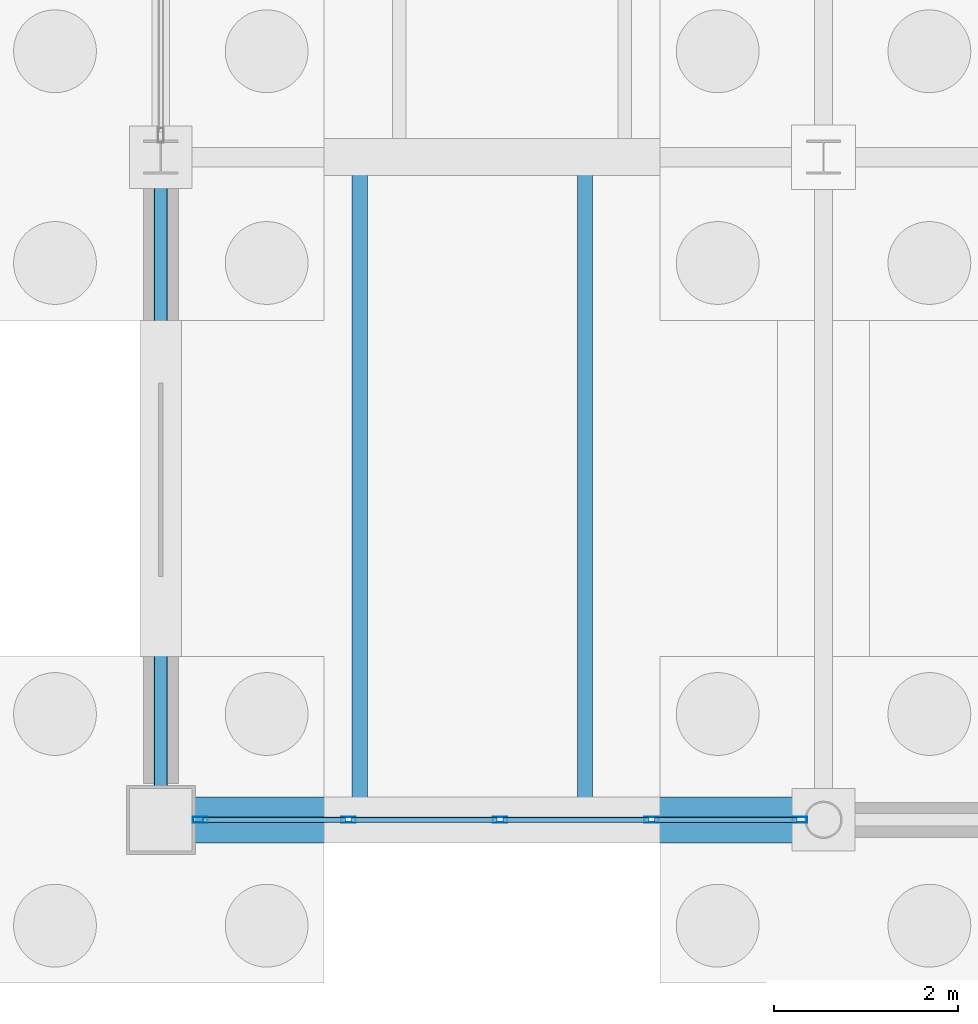
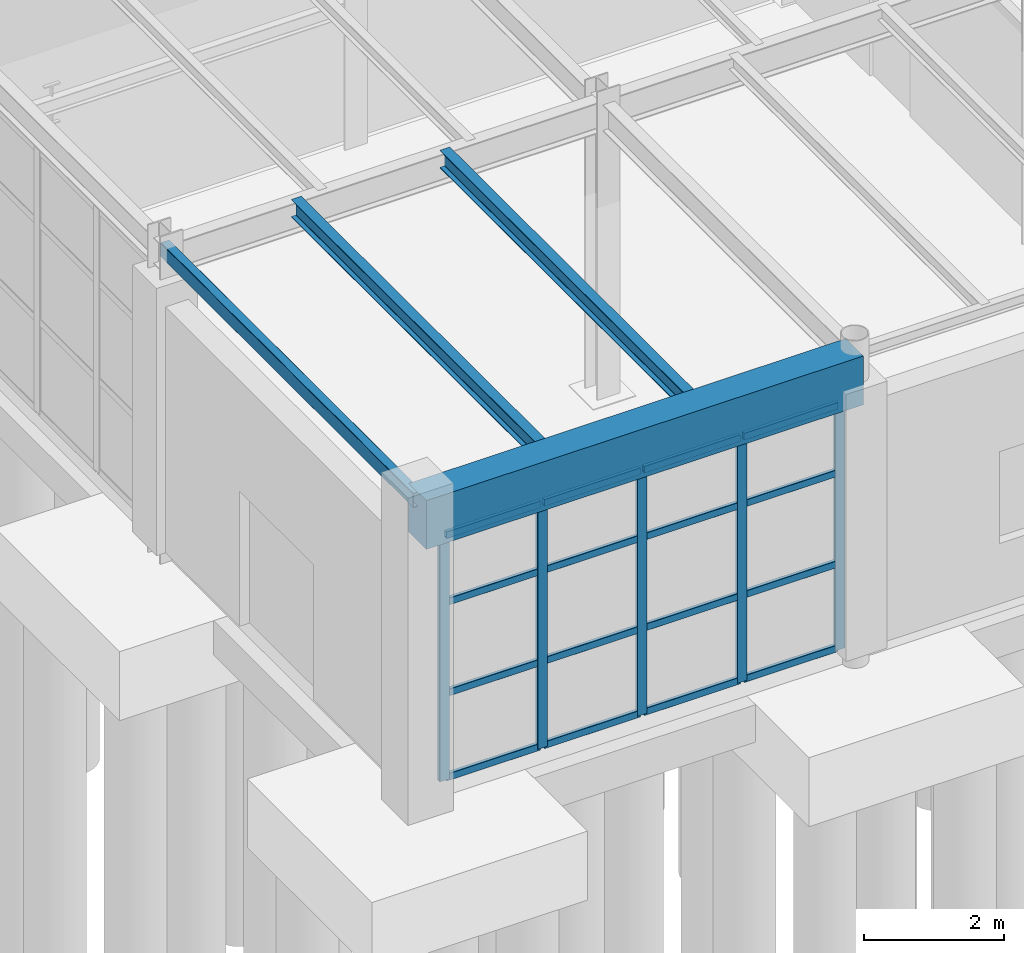
# One storey, part 39 of 293: 21 members, 4 beams, 1 element without a shape of its own.
"""IFC4 building model written with IfcOpenShell, lengths in metres."""

from ifc_helpers import new_model, si_unit, direction, frame, origin, origin_2d, place, context, subcontext, project, spatial, rectangle, hollow_rectangle, i_section, extrude, material, layer, layer_set, material_profile, profile_set, type_object, element, aggregate, save


model = new_model("IFC4")

# Units and contexts
model_context = context("Model", 3, precision=1e-05, world=origin(), true_north=direction((0.0, 1.0)))
body_context = subcontext(model_context, "Body", "Model", "MODEL_VIEW")
ifc_project = project(units=[si_unit("LENGTHUNIT", "METRE"), si_unit("AREAUNIT", "SQUARE_METRE"), si_unit("VOLUMEUNIT", "CUBIC_METRE"), si_unit("PLANEANGLEUNIT", "RADIAN"), si_unit("MASSUNIT", "GRAM", prefix="KILO")], contexts=[model_context])

# Site, building, storey
site_placement = place(None, origin())
site = spatial("IfcSite", under=ifc_project, at=site_placement, CompositionType="ELEMENT")
building_placement = place(site_placement, origin())
building = spatial("IfcBuilding", under=site, at=building_placement, Name="Kemerveld Promenade Tramway Depot", CompositionType="ELEMENT")
storey_placement = place(building_placement, origin())
storey = spatial("IfcBuildingStorey", under=building, at=storey_placement, Name="L00", CompositionType="ELEMENT", Elevation=0.0)

# Beams
ifc_material_1 = material(Name="Steel S355", Category="steel")
ifc_material_profile_1 = material_profile(ifc_material_1, i_section(OverallWidth=0.165771484375, OverallDepth=0.306640625, WebThickness=0.006591796875, FlangeThickness=0.01171875, FilletRadius=0.0087890625, at=origin_2d()), Name="305x165x46 UB")
ifc_profile_set_1 = profile_set([ifc_material_profile_1], Name="Steel S355")
beam_type_1 = type_object("IfcBeamType", Name="BM-J01", PredefinedType="JOIST", material=ifc_profile_set_1)
for number, where, z_axis, x_axis, name in (
    (1, (2.159912109375, 0.0, 4.99658203125), (0.0, 1.0, 0.0), (-1.0, 0.0, 0.0), "JST-L00-01-A-1"),
    (2, (4.60791015625, 0.0, 4.99658203125), (0.0, 1.0, 0.0), (-1.0, 0.0, 0.0), "JST-L00-01-A-2"),
):
    element("IfcBeam", number, at=place(storey_placement, frame(where, z_axis=z_axis, x_axis=x_axis)), inside=storey, type_object=beam_type_1, Name=name, PredefinedType="JOIST", context=body_context, shape_type="SweptSolid", body=[
        extrude(i_section(OverallWidth=0.165771484375, OverallDepth=0.306640625, WebThickness=0.006591796875, FlangeThickness=0.01171875, FilletRadius=0.0087890625, at=origin_2d()), origin(), (0.0, 0.0, 1.0), 7.199951171875),
    ])
ifc_material_2 = material(Name="Concrete C40/50", Category="concrete")
ifc_material_profile_2 = material_profile(ifc_material_2, rectangle(XDim=0.5, YDim=0.85009765625, at=origin_2d()), Name="RC-BM-500x850")
ifc_profile_set_2 = profile_set([ifc_material_profile_2], Name="Concrete C40/50")
beam_type_2 = type_object("IfcBeamType", Name="BM-RC7", PredefinedType="BEAM", material=ifc_profile_set_2)
beam_1_placement = place(storey_placement, frame((0.0, 0.0, 4.72509765625), z_axis=(1.0, 0.0, 0.0), x_axis=(0.0, 1.0, 0.0)))
element("IfcBeam", 3, at=beam_1_placement, inside=storey, type_object=beam_type_2, Name="BMX-L00-01-02-A", PredefinedType="BEAM", context=body_context, shape_type="SweptSolid", body=[
    extrude(rectangle(XDim=0.5, YDim=0.85009765625, at=origin_2d()), origin(), (0.0, 0.0, 1.0), 7.199951171875),
])
ifc_material_profile_3 = material_profile(ifc_material_1, hollow_rectangle(XDim=0.14990234375, YDim=0.25, WallThickness=0.010009765625, InnerFilletRadius=0.0048828125, OuterFilletRadius=0.014892578125, at=origin_2d()), Name="250x150x10.0 RHS")
ifc_profile_set_3 = profile_set([ifc_material_profile_3], Name="Steel S355")
beam_type_3 = type_object("IfcBeamType", Name="BM-SP2", PredefinedType="SPANDREL", material=ifc_profile_set_3)
beam_2_placement = place(storey_placement, frame((0.0, 0.0, 5.02490234375), z_axis=(0.0, 1.0, 0.0), x_axis=(-1.0, 0.0, 0.0)))
element("IfcBeam", 4, at=beam_2_placement, inside=storey, type_object=beam_type_3, Name="BMY-L00-01-A-B", PredefinedType="SPANDREL", context=body_context, shape_type="SweptSolid", body=[
    extrude(hollow_rectangle(XDim=0.14990234375, YDim=0.25, WallThickness=0.010009765625, InnerFilletRadius=0.0048828125, OuterFilletRadius=0.014892578125, at=origin_2d()), origin(), (0.0, 0.0, 1.0), 7.199951171875),
])

# Curtain wall, members
ifc_material_3 = material(Name="Bronze anodised aluminium and solar glass", Category="aluminium")
ifc_layer = layer(ifc_material_3, 0.159912109375)
ifc_layer_set = layer_set([ifc_layer], Name="CW-SYS-11")
curtain_wall_type = type_object("IfcCurtainWallType", Name="CW-SYS-11", PredefinedType="USERDEFINED", material=ifc_layer_set)
curtain_wall_placement = place(storey_placement, origin())
curtain_wall = element("IfcCurtainWall", 5, at=curtain_wall_placement, inside=storey, type_object=curtain_wall_type, Name="CW-L00-V5S-08", ObjectType="GLAZED_CURTAIN_WALL", PredefinedType="USERDEFINED")
ifc_material_4 = material(Name="Bronze anodised aluminium", Category="aluminium")
ifc_material_profile_4 = material_profile(ifc_material_4, hollow_rectangle(XDim=0.06494140625, YDim=0.159912109375, WallThickness=0.00390625, InnerFilletRadius=0.001953125, OuterFilletRadius=0.00390625, at=origin_2d()), Name="CW-MUL-160x65")
ifc_profile_set_4 = profile_set([ifc_material_profile_4], Name="Bronze anodised aluminium")
member_type_1 = type_object("IfcMemberType", Name="CW-MUL-A", PredefinedType="MULLION", material=ifc_profile_set_4)
member_1_placement = place(storey_placement, frame((6.9443359375, 0.0, 0.0), z_axis=(0.0, 0.0, 1.0), x_axis=(0.0, -1.0, 0.0)))
member_1 = element("IfcMember", 6, at=member_1_placement, type_object=member_type_1, Name="CW11 mullion 1", PredefinedType="MULLION", context=body_context, shape_type="SweptSolid", body=[
    extrude(hollow_rectangle(XDim=0.06494140625, YDim=0.159912109375, WallThickness=0.00390625, InnerFilletRadius=0.001953125, OuterFilletRadius=0.00390625, at=origin_2d()), origin(), (0.0, 0.0, 1.0), 4.280029296875),
])
member_2_placement = place(storey_placement, frame((5.331298828125, 0.0, 0.0), z_axis=(0.0, 0.0, 1.0), x_axis=(0.0, -1.0, 0.0)))
member_2 = element("IfcMember", 7, at=member_2_placement, type_object=member_type_1, Name="CW11 mullion 2", PredefinedType="MULLION", context=body_context, shape_type="SweptSolid", body=[
    extrude(hollow_rectangle(XDim=0.06494140625, YDim=0.159912109375, WallThickness=0.00390625, InnerFilletRadius=0.001953125, OuterFilletRadius=0.00390625, at=origin_2d()), origin(), (0.0, 0.0, 1.0), 4.280029296875),
])
member_3_placement = place(storey_placement, frame((3.685791015625, 0.0, 0.0), z_axis=(0.0, 0.0, 1.0), x_axis=(0.0, -1.0, 0.0)))
member_3 = element("IfcMember", 8, at=member_3_placement, type_object=member_type_1, Name="CW11 mullion 3", PredefinedType="MULLION", context=body_context, shape_type="SweptSolid", body=[
    extrude(hollow_rectangle(XDim=0.06494140625, YDim=0.159912109375, WallThickness=0.00390625, InnerFilletRadius=0.001953125, OuterFilletRadius=0.00390625, at=origin_2d()), origin(), (0.0, 0.0, 1.0), 4.280029296875),
])
member_4_placement = place(storey_placement, frame((2.04052734375, 0.0, 0.0), z_axis=(0.0, 0.0, 1.0), x_axis=(0.0, -1.0, 0.0)))
member_4 = element("IfcMember", 9, at=member_4_placement, type_object=member_type_1, Name="CW11 mullion 4", PredefinedType="MULLION", context=body_context, shape_type="SweptSolid", body=[
    extrude(hollow_rectangle(XDim=0.06494140625, YDim=0.159912109375, WallThickness=0.00390625, InnerFilletRadius=0.001953125, OuterFilletRadius=0.00390625, at=origin_2d()), origin(), (0.0, 0.0, 1.0), 4.280029296875),
])
member_5_placement = place(storey_placement, frame((0.427490234375, 0.0, 0.0), z_axis=(0.0, 0.0, 1.0), x_axis=(0.0, -1.0, 0.0)))
member_5 = element("IfcMember", 10, at=member_5_placement, type_object=member_type_1, Name="CW11 mullion 5", PredefinedType="MULLION", context=body_context, shape_type="SweptSolid", body=[
    extrude(hollow_rectangle(XDim=0.06494140625, YDim=0.159912109375, WallThickness=0.00390625, InnerFilletRadius=0.001953125, OuterFilletRadius=0.00390625, at=origin_2d()), origin(), (0.0, 0.0, 1.0), 4.280029296875),
])
ifc_material_profile_5 = material_profile(ifc_material_4, hollow_rectangle(XDim=0.06005859375, YDim=0.1201171875, WallThickness=0.00390625, InnerFilletRadius=0.001953125, OuterFilletRadius=0.00390625, at=origin_2d()), Name="CW-TRN-120x60")
ifc_profile_set_5 = profile_set([ifc_material_profile_5], Name="Bronze anodised aluminium")
member_type_2 = type_object("IfcMemberType", Name="CW-TRN-A", PredefinedType="USERDEFINED", material=ifc_profile_set_5)
member_6_placement = place(storey_placement, frame((6.911865234375, 0.0, 0.030029296875), z_axis=(-1.0, 0.0, 0.0), x_axis=(0.0, -1.0, 0.0)))
member_6 = element("IfcMember", 11, at=member_6_placement, type_object=member_type_2, Name="CW11 transom 1.1", ObjectType="TRANSOM", PredefinedType="USERDEFINED", context=body_context, shape_type="SweptSolid", body=[
    extrude(hollow_rectangle(XDim=0.06005859375, YDim=0.1201171875, WallThickness=0.00390625, InnerFilletRadius=0.001953125, OuterFilletRadius=0.00390625, at=origin_2d()), origin(), (0.0, 0.0, 1.0), 1.548095703125),
])
member_7_placement = place(storey_placement, frame((6.911865234375, 0.0, 1.498046875), z_axis=(-1.0, 0.0, 0.0), x_axis=(0.0, -1.0, 0.0)))
member_7 = element("IfcMember", 12, at=member_7_placement, type_object=member_type_2, Name="CW11 transom 1.2", ObjectType="TRANSOM", PredefinedType="USERDEFINED", context=body_context, shape_type="SweptSolid", body=[
    extrude(hollow_rectangle(XDim=0.06005859375, YDim=0.1201171875, WallThickness=0.00390625, InnerFilletRadius=0.001953125, OuterFilletRadius=0.00390625, at=origin_2d()), origin(), (0.0, 0.0, 1.0), 1.548095703125),
])
member_8_placement = place(storey_placement, frame((6.911865234375, 0.0, 3.08203125), z_axis=(-1.0, 0.0, 0.0), x_axis=(0.0, -1.0, 0.0)))
member_8 = element("IfcMember", 13, at=member_8_placement, type_object=member_type_2, Name="CW11 transom 1.3", ObjectType="TRANSOM", PredefinedType="USERDEFINED", context=body_context, shape_type="SweptSolid", body=[
    extrude(hollow_rectangle(XDim=0.06005859375, YDim=0.1201171875, WallThickness=0.00390625, InnerFilletRadius=0.001953125, OuterFilletRadius=0.00390625, at=origin_2d()), origin(), (0.0, 0.0, 1.0), 1.548095703125),
])
member_9_placement = place(storey_placement, frame((6.911865234375, 0.0, 4.25), z_axis=(-1.0, 0.0, 0.0), x_axis=(0.0, -1.0, 0.0)))
member_9 = element("IfcMember", 14, at=member_9_placement, type_object=member_type_2, Name="CW11 transom 1.4", ObjectType="TRANSOM", PredefinedType="USERDEFINED", context=body_context, shape_type="SweptSolid", body=[
    extrude(hollow_rectangle(XDim=0.06005859375, YDim=0.1201171875, WallThickness=0.00390625, InnerFilletRadius=0.001953125, OuterFilletRadius=0.00390625, at=origin_2d()), origin(), (0.0, 0.0, 1.0), 1.548095703125),
])
member_10_placement = place(storey_placement, frame((5.298828125, 0.0, 0.030029296875), z_axis=(-1.0, 0.0, 0.0), x_axis=(0.0, -1.0, 0.0)))
member_10 = element("IfcMember", 15, at=member_10_placement, type_object=member_type_2, Name="CW11 transom 2.1", ObjectType="TRANSOM", PredefinedType="USERDEFINED", context=body_context, shape_type="SweptSolid", body=[
    extrude(hollow_rectangle(XDim=0.06005859375, YDim=0.1201171875, WallThickness=0.00390625, InnerFilletRadius=0.001953125, OuterFilletRadius=0.00390625, at=origin_2d()), origin(), (0.0, 0.0, 1.0), 1.580322265625),
])
member_11_placement = place(storey_placement, frame((5.298828125, 0.0, 1.498046875), z_axis=(-1.0, 0.0, 0.0), x_axis=(0.0, -1.0, 0.0)))
member_11 = element("IfcMember", 16, at=member_11_placement, type_object=member_type_2, Name="CW11 transom 2.2", ObjectType="TRANSOM", PredefinedType="USERDEFINED", context=body_context, shape_type="SweptSolid", body=[
    extrude(hollow_rectangle(XDim=0.06005859375, YDim=0.1201171875, WallThickness=0.00390625, InnerFilletRadius=0.001953125, OuterFilletRadius=0.00390625, at=origin_2d()), origin(), (0.0, 0.0, 1.0), 1.580322265625),
])
member_12_placement = place(storey_placement, frame((5.298828125, 0.0, 3.08203125), z_axis=(-1.0, 0.0, 0.0), x_axis=(0.0, -1.0, 0.0)))
member_12 = element("IfcMember", 17, at=member_12_placement, type_object=member_type_2, Name="CW11 transom 2.3", ObjectType="TRANSOM", PredefinedType="USERDEFINED", context=body_context, shape_type="SweptSolid", body=[
    extrude(hollow_rectangle(XDim=0.06005859375, YDim=0.1201171875, WallThickness=0.00390625, InnerFilletRadius=0.001953125, OuterFilletRadius=0.00390625, at=origin_2d()), origin(), (0.0, 0.0, 1.0), 1.580322265625),
])
member_13_placement = place(storey_placement, frame((5.298828125, 0.0, 4.25), z_axis=(-1.0, 0.0, 0.0), x_axis=(0.0, -1.0, 0.0)))
member_13 = element("IfcMember", 18, at=member_13_placement, type_object=member_type_2, Name="CW11 transom 2.4", ObjectType="TRANSOM", PredefinedType="USERDEFINED", context=body_context, shape_type="SweptSolid", body=[
    extrude(hollow_rectangle(XDim=0.06005859375, YDim=0.1201171875, WallThickness=0.00390625, InnerFilletRadius=0.001953125, OuterFilletRadius=0.00390625, at=origin_2d()), origin(), (0.0, 0.0, 1.0), 1.580322265625),
])
member_14_placement = place(storey_placement, frame((3.6533203125, 0.0, 0.030029296875), z_axis=(-1.0, 0.0, 0.0), x_axis=(0.0, -1.0, 0.0)))
member_14 = element("IfcMember", 19, at=member_14_placement, type_object=member_type_2, Name="CW11 transom 3.1", ObjectType="TRANSOM", PredefinedType="USERDEFINED", context=body_context, shape_type="SweptSolid", body=[
    extrude(hollow_rectangle(XDim=0.06005859375, YDim=0.1201171875, WallThickness=0.00390625, InnerFilletRadius=0.001953125, OuterFilletRadius=0.00390625, at=origin_2d()), origin(), (0.0, 0.0, 1.0), 1.580322265625),
])
member_15_placement = place(storey_placement, frame((3.6533203125, 0.0, 1.498046875), z_axis=(-1.0, 0.0, 0.0), x_axis=(0.0, -1.0, 0.0)))
member_15 = element("IfcMember", 20, at=member_15_placement, type_object=member_type_2, Name="CW11 transom 3.2", ObjectType="TRANSOM", PredefinedType="USERDEFINED", context=body_context, shape_type="SweptSolid", body=[
    extrude(hollow_rectangle(XDim=0.06005859375, YDim=0.1201171875, WallThickness=0.00390625, InnerFilletRadius=0.001953125, OuterFilletRadius=0.00390625, at=origin_2d()), origin(), (0.0, 0.0, 1.0), 1.580322265625),
])
member_16_placement = place(storey_placement, frame((3.6533203125, 0.0, 3.08203125), z_axis=(-1.0, 0.0, 0.0), x_axis=(0.0, -1.0, 0.0)))
member_16 = element("IfcMember", 21, at=member_16_placement, type_object=member_type_2, Name="CW11 transom 3.3", ObjectType="TRANSOM", PredefinedType="USERDEFINED", context=body_context, shape_type="SweptSolid", body=[
    extrude(hollow_rectangle(XDim=0.06005859375, YDim=0.1201171875, WallThickness=0.00390625, InnerFilletRadius=0.001953125, OuterFilletRadius=0.00390625, at=origin_2d()), origin(), (0.0, 0.0, 1.0), 1.580322265625),
])
member_17_placement = place(storey_placement, frame((3.6533203125, 0.0, 4.25), z_axis=(-1.0, 0.0, 0.0), x_axis=(0.0, -1.0, 0.0)))
member_17 = element("IfcMember", 22, at=member_17_placement, type_object=member_type_2, Name="CW11 transom 3.4", ObjectType="TRANSOM", PredefinedType="USERDEFINED", context=body_context, shape_type="SweptSolid", body=[
    extrude(hollow_rectangle(XDim=0.06005859375, YDim=0.1201171875, WallThickness=0.00390625, InnerFilletRadius=0.001953125, OuterFilletRadius=0.00390625, at=origin_2d()), origin(), (0.0, 0.0, 1.0), 1.580322265625),
])
member_18_placement = place(storey_placement, frame((2.008056640625, 0.0, 0.030029296875), z_axis=(-1.0, 0.0, 0.0), x_axis=(0.0, -1.0, 0.0)))
member_18 = element("IfcMember", 23, at=member_18_placement, type_object=member_type_2, Name="CW11 transom 4.1", ObjectType="TRANSOM", PredefinedType="USERDEFINED", context=body_context, shape_type="SweptSolid", body=[
    extrude(hollow_rectangle(XDim=0.06005859375, YDim=0.1201171875, WallThickness=0.00390625, InnerFilletRadius=0.001953125, OuterFilletRadius=0.00390625, at=origin_2d()), origin(), (0.0, 0.0, 1.0), 1.548095703125),
])
member_19_placement = place(storey_placement, frame((2.008056640625, 0.0, 1.498046875), z_axis=(-1.0, 0.0, 0.0), x_axis=(0.0, -1.0, 0.0)))
member_19 = element("IfcMember", 24, at=member_19_placement, type_object=member_type_2, Name="CW11 transom 4.2", ObjectType="TRANSOM", PredefinedType="USERDEFINED", context=body_context, shape_type="SweptSolid", body=[
    extrude(hollow_rectangle(XDim=0.06005859375, YDim=0.1201171875, WallThickness=0.00390625, InnerFilletRadius=0.001953125, OuterFilletRadius=0.00390625, at=origin_2d()), origin(), (0.0, 0.0, 1.0), 1.548095703125),
])
member_20_placement = place(storey_placement, frame((2.008056640625, 0.0, 3.08203125), z_axis=(-1.0, 0.0, 0.0), x_axis=(0.0, -1.0, 0.0)))
member_20 = element("IfcMember", 25, at=member_20_placement, type_object=member_type_2, Name="CW11 transom 4.3", ObjectType="TRANSOM", PredefinedType="USERDEFINED", context=body_context, shape_type="SweptSolid", body=[
    extrude(hollow_rectangle(XDim=0.06005859375, YDim=0.1201171875, WallThickness=0.00390625, InnerFilletRadius=0.001953125, OuterFilletRadius=0.00390625, at=origin_2d()), origin(), (0.0, 0.0, 1.0), 1.548095703125),
])
member_21_placement = place(storey_placement, frame((2.008056640625, 0.0, 4.25), z_axis=(-1.0, 0.0, 0.0), x_axis=(0.0, -1.0, 0.0)))
member_21 = element("IfcMember", 26, at=member_21_placement, type_object=member_type_2, Name="CW11 transom 4.4", ObjectType="TRANSOM", PredefinedType="USERDEFINED", context=body_context, shape_type="SweptSolid", body=[
    extrude(hollow_rectangle(XDim=0.06005859375, YDim=0.1201171875, WallThickness=0.00390625, InnerFilletRadius=0.001953125, OuterFilletRadius=0.00390625, at=origin_2d()), origin(), (0.0, 0.0, 1.0), 1.548095703125),
])
aggregate(curtain_wall, [member_1, member_2, member_3, member_4, member_5, member_6, member_7, member_8, member_9, member_10, member_11, member_12, member_13, member_14, member_15, member_16, member_17, member_18, member_19, member_20, member_21])

save(model, "model.ifc")
